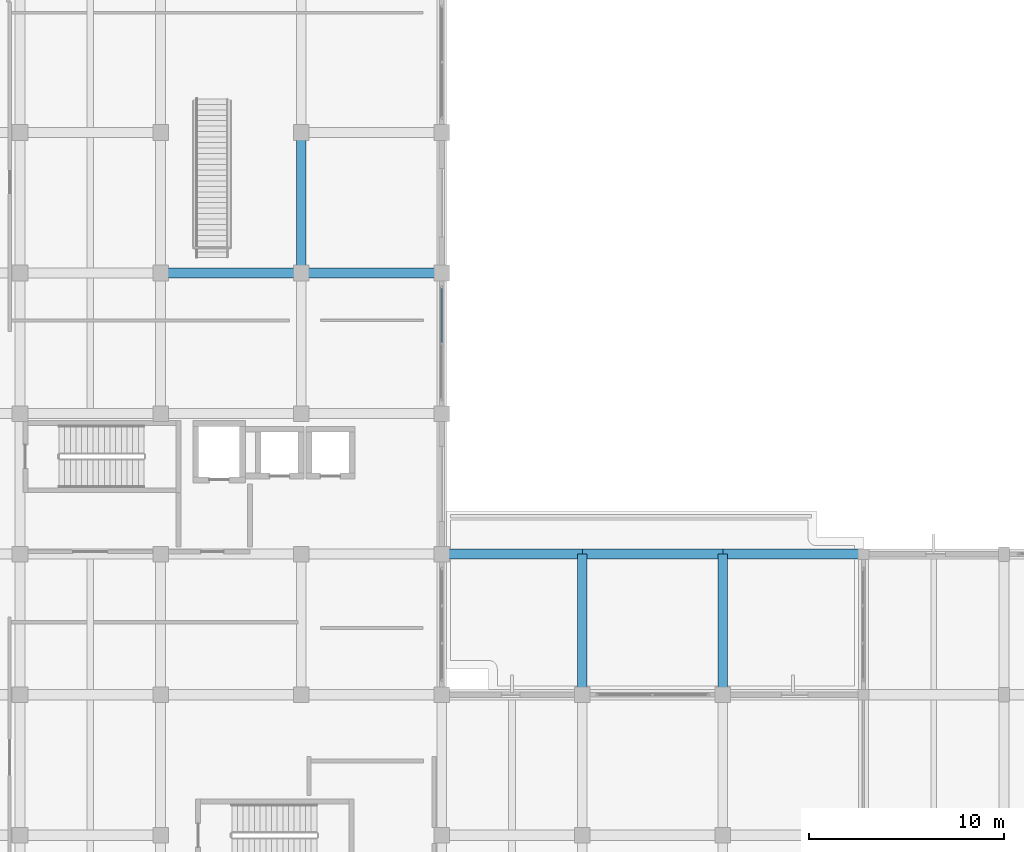
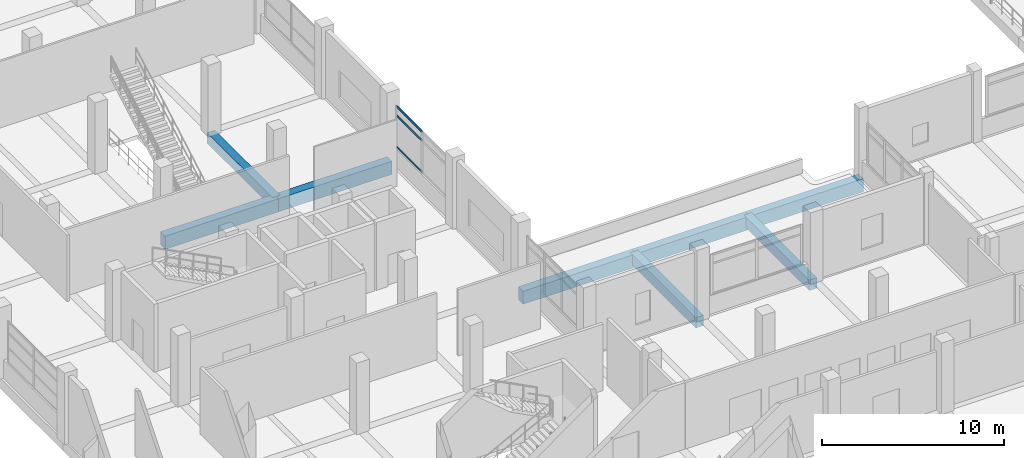
# One storey, part 51 of 140: 8 beams, 3 members, 1 element without a shape of its own.
"""IFC4 building model written with IfcOpenShell, lengths in metres."""

from ifc_helpers import new_model, si_unit, direction, frame, origin, origin_2d, place, context, subcontext, project, spatial, rectangle, hollow_rectangle, extrude, material, layer, layer_set, material_profile, profile_set, type_object, element, aggregate, save


model = new_model("IFC4")

# Units and contexts
model_context = context("Model", 3, precision=1e-05, world=origin(), true_north=direction((0.0, 1.0)))
body_context = subcontext(model_context, "Body", "Model", "MODEL_VIEW")
ifc_project = project(units=[si_unit("LENGTHUNIT", "METRE"), si_unit("AREAUNIT", "SQUARE_METRE"), si_unit("VOLUMEUNIT", "CUBIC_METRE"), si_unit("PLANEANGLEUNIT", "RADIAN"), si_unit("MASSUNIT", "GRAM", prefix="KILO")], contexts=[model_context])

# Site, building, storey
site_placement = place(None, origin())
site = spatial("IfcSite", under=ifc_project, at=site_placement, CompositionType="ELEMENT")
building_placement = place(site_placement, origin())
building = spatial("IfcBuilding", under=site, at=building_placement, Name="Seraya Terrace Polytechnic", CompositionType="ELEMENT")
storey_placement = place(building_placement, frame((0.0, 0.0, 9.60009765625)))
storey = spatial("IfcBuildingStorey", under=building, at=storey_placement, Name="L02", CompositionType="ELEMENT", Elevation=9.60009765625)

# Beams
ifc_material_1 = material(Name="Concrete C40/50", Category="concrete")
ifc_material_profile_1 = material_profile(ifc_material_1, rectangle(XDim=0.52001953125, YDim=0.8798828125, at=origin_2d()), Name="RC 520x880")
ifc_profile_set_1 = profile_set([ifc_material_profile_1], Name="Concrete C40/50")
beam_type_1 = type_object("IfcBeamType", Name="BM-04", PredefinedType="BEAM", material=ifc_profile_set_1)
for number, where, z_axis, x_axis, name in (
    (1, (108.0, 36.0, -0.440185546875), (1.0, 0.0, 0.0), (0.0, 1.0, 0.0), "Beam BM-04 L02 X (108.0..115.2, 36.0)"),
    (2, (115.199951171875, 36.0, -0.440185546875), (1.0, 0.0, 0.0), (0.0, 1.0, 0.0), "Beam BM-04 L02 X (115.2..122.4, 36.0)"),
):
    element("IfcBeam", number, at=place(storey_placement, frame(where, z_axis=z_axis, x_axis=x_axis)), inside=storey, type_object=beam_type_1, Name=name, PredefinedType="BEAM", context=body_context, shape_type="SweptSolid", body=[
        extrude(rectangle(XDim=0.52001953125, YDim=0.8798828125, at=origin_2d()), origin(), (0.0, 0.0, 1.0), 7.199951171875),
    ])
beam_1_placement = place(storey_placement, frame((122.39990234375, 36.0, -0.440185546875), z_axis=(1.0, 0.0, 0.0), x_axis=(0.0, 1.0, 0.0)))
element("IfcBeam", 3, at=beam_1_placement, inside=storey, type_object=beam_type_1, Name="Beam BM-04 L02 X (122.4..129.6, 36.0)", PredefinedType="BEAM", context=body_context, shape_type="SweptSolid", body=[
    extrude(rectangle(XDim=0.52001953125, YDim=0.8798828125, at=origin_2d()), origin(), (0.0, 0.0, 1.0), 7.2001953125),
])
for number, where, z_axis, x_axis, name in (
    (4, (93.60009765625, 50.39990234375, -0.440185546875), (1.0, 0.0, 0.0), (0.0, 1.0, 0.0), "Beam BM-04 L02 X (93.6..100.8, 50.4)"),
    (5, (100.800048828125, 50.39990234375, -0.440185546875), (1.0, 0.0, 0.0), (0.0, 1.0, 0.0), "Beam BM-04 L02 X (100.8..108.0, 50.4)"),
):
    element("IfcBeam", number, at=place(storey_placement, frame(where, z_axis=z_axis, x_axis=x_axis)), inside=storey, type_object=beam_type_1, Name=name, PredefinedType="BEAM", context=body_context, shape_type="SweptSolid", body=[
        extrude(rectangle(XDim=0.52001953125, YDim=0.8798828125, at=origin_2d()), origin(), (0.0, 0.0, 1.0), 7.199951171875),
    ])
ifc_material_profile_2 = material_profile(ifc_material_1, rectangle(XDim=0.5, YDim=0.699951171875, at=origin_2d()), Name="RC 500x700")
ifc_profile_set_2 = profile_set([ifc_material_profile_2], Name="Concrete C40/50")
beam_type_2 = type_object("IfcBeamType", Name="BM-07", PredefinedType="BEAM", material=ifc_profile_set_2)
beam_2_placement = place(storey_placement, frame((100.800048828125, 50.39990234375, -0.35009765625), z_axis=(0.0, 1.0, 0.0), x_axis=(-1.0, 0.0, 0.0)))
element("IfcBeam", 6, at=beam_2_placement, inside=storey, type_object=beam_type_2, Name="Beam BM-07 L02 Y (100.8, 50.4..57.6)", PredefinedType="BEAM", context=body_context, shape_type="SweptSolid", body=[
    extrude(rectangle(XDim=0.5, YDim=0.699951171875, at=origin_2d()), origin(), (0.0, 0.0, 1.0), 7.2001953125),
])
for number, where, z_axis, x_axis, name in (
    (7, (115.199951171875, 28.800048828125, -0.35009765625), (0.0, 1.0, 0.0), (-1.0, 0.0, 0.0), "Beam BM-07 L02 Y (115.2, 28.8..36.0)"),
    (8, (122.39990234375, 28.800048828125, -0.35009765625), (0.0, 1.0, 0.0), (-1.0, 0.0, 0.0), "Beam BM-07 L02 Y (122.4, 28.8..36.0)"),
):
    element("IfcBeam", number, at=place(storey_placement, frame(where, z_axis=z_axis, x_axis=x_axis)), inside=storey, type_object=beam_type_2, Name=name, PredefinedType="BEAM", context=body_context, shape_type="SweptSolid", body=[
        extrude(rectangle(XDim=0.5, YDim=0.699951171875, at=origin_2d()), origin(), (0.0, 0.0, 1.0), 7.199951171875),
    ])

# Curtain wall, members
ifc_material_2 = material(Name="Anodised aluminium EN AW-6063 T6", Category="aluminium")
ifc_layer = layer(ifc_material_2, 0.179931640625, Name="CW-25")
ifc_layer_set = layer_set([ifc_layer], Name="Anodised aluminium EN AW-6063 T6")
curtain_wall_type = type_object("IfcCurtainWallType", Name="CW-25", PredefinedType="NOTDEFINED", material=ifc_layer_set)
curtain_wall_placement = place(storey_placement, origin())
curtain_wall = element("IfcCurtainWall", 9, at=curtain_wall_placement, inside=storey, type_object=curtain_wall_type, Name="Unitised curtain wall CW-25 (CW-L02-061)", PredefinedType="NOTDEFINED")
ifc_material_profile_3 = material_profile(ifc_material_2, hollow_rectangle(XDim=0.06005859375, YDim=0.139892578125, WallThickness=0.00341796875, at=origin_2d()), Name="RHS 140x60x3.5")
ifc_profile_set_3 = profile_set([ifc_material_profile_3], Name="Anodised aluminium EN AW-6063 T6")
member_type = type_object("IfcMemberType", Name="CWT-01", PredefinedType="USERDEFINED", material=ifc_profile_set_3)
member_1_placement = place(storey_placement, frame((108.0, 49.614990234375, 1.27001953125), z_axis=(0.0, -1.0, 0.0), x_axis=(1.0, 0.0, 0.0)))
member_1 = element("IfcMember", 10, at=member_1_placement, type_object=member_type, Name="CW-25 transom 1.1", ObjectType="TRANSOM", PredefinedType="USERDEFINED", context=body_context, shape_type="SweptSolid", body=[
    extrude(hollow_rectangle(XDim=0.06005859375, YDim=0.139892578125, WallThickness=0.00341796875, at=origin_2d()), origin(), (0.0, 0.0, 1.0), 2.782470703125),
])
member_2_placement = place(storey_placement, frame((108.0, 49.614990234375, 3.389892578125), z_axis=(0.0, -1.0, 0.0), x_axis=(1.0, 0.0, 0.0)))
member_2 = element("IfcMember", 11, at=member_2_placement, type_object=member_type, Name="CW-25 transom 1.2", ObjectType="TRANSOM", PredefinedType="USERDEFINED", context=body_context, shape_type="SweptSolid", body=[
    extrude(hollow_rectangle(XDim=0.06005859375, YDim=0.139892578125, WallThickness=0.00341796875, at=origin_2d()), origin(), (0.0, 0.0, 1.0), 2.782470703125),
])
member_3_placement = place(storey_placement, frame((108.0, 49.614990234375, 3.97998046875), z_axis=(0.0, -1.0, 0.0), x_axis=(1.0, 0.0, 0.0)))
member_3 = element("IfcMember", 12, at=member_3_placement, type_object=member_type, Name="CW-25 transom 1.3", ObjectType="TRANSOM", PredefinedType="USERDEFINED", context=body_context, shape_type="SweptSolid", body=[
    extrude(hollow_rectangle(XDim=0.06005859375, YDim=0.139892578125, WallThickness=0.00341796875, at=origin_2d()), origin(), (0.0, 0.0, 1.0), 2.782470703125),
])
aggregate(curtain_wall, [member_1, member_2, member_3])

save(model, "model.ifc")
